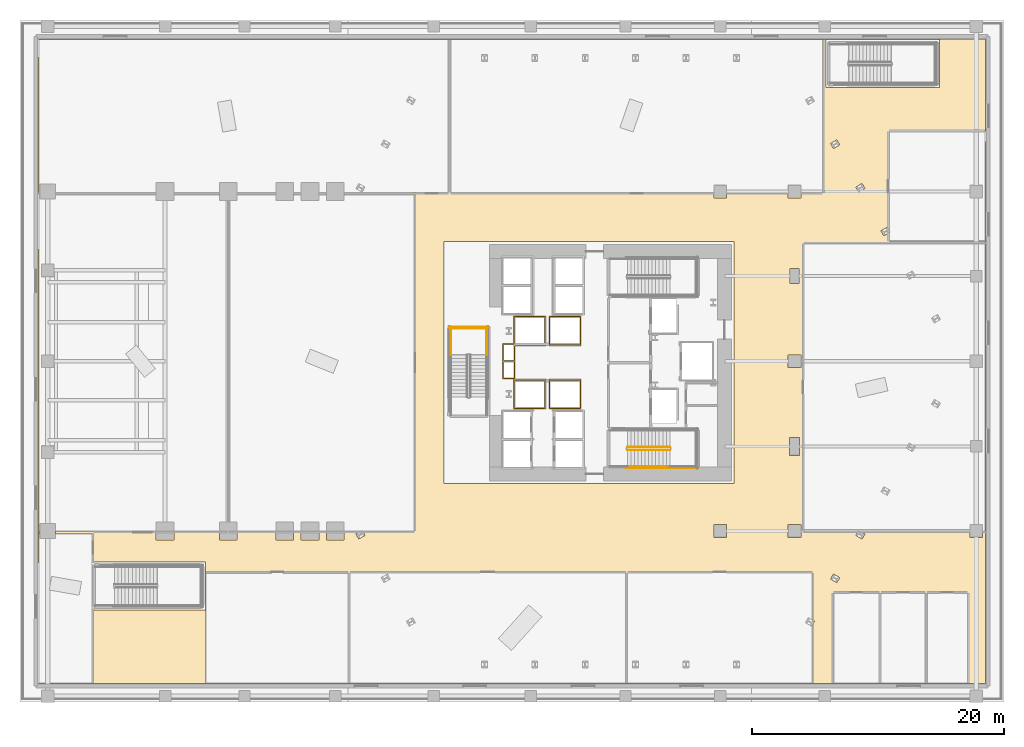
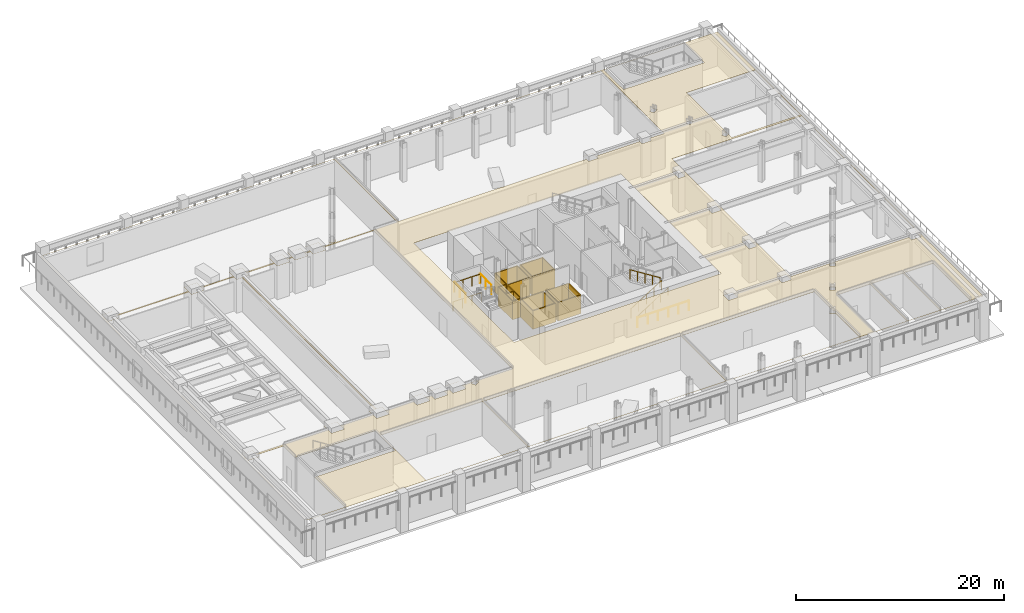
# One storey, part 12 of 18: 8 railings, 5 coverings.
"""IFC4 building model written with IfcOpenShell, lengths in metres."""

from ifc_helpers import new_model, si_unit, direction, frame, origin, origin_2d, place, context, subcontext, project, spatial, polyline, circle, outline, extrude, material, layer, layer_set, type_object, element, save


model = new_model("IFC4")

# Units and contexts
model_context = context("Model", 3, precision=1e-05, world=origin(), true_north=direction((0.0, 1.0)))
body_context = subcontext(model_context, "Body", "Model", "MODEL_VIEW")
ifc_project = project(units=[si_unit("LENGTHUNIT", "METRE"), si_unit("AREAUNIT", "SQUARE_METRE"), si_unit("VOLUMEUNIT", "CUBIC_METRE"), si_unit("PLANEANGLEUNIT", "RADIAN"), si_unit("MASSUNIT", "GRAM", prefix="KILO")], contexts=[model_context])

# Site, building, storey
site_placement = place(None, origin())
site = spatial("IfcSite", under=ifc_project, at=site_placement, CompositionType="ELEMENT")
building_placement = place(site_placement, origin())
building = spatial("IfcBuilding", under=site, at=building_placement, Name="Valkerne Bourse Tower", CompositionType="ELEMENT")
storey_placement = place(building_placement, frame((0.0, 0.0, 14.800048828125)))
storey = spatial("IfcBuildingStorey", under=building, at=storey_placement, Name="L03", CompositionType="ELEMENT", Elevation=14.800048828125)

# Coverings
ifc_material_1 = material(Name="Bronze Anodised Aluminium AA 6063-T6", Category="aluminium")
ifc_layer_1 = layer(ifc_material_1, 0.030029296875)
ifc_layer_set_1 = layer_set([ifc_layer_1], Name="Bronze Anodised Aluminium AA 6063-T6")
covering_type_1 = type_object("IfcCoveringType", Name="COV-CEIL-METAL", PredefinedType="CEILING", material=ifc_layer_set_1)
covering_1_placement = place(storey_placement, frame((0.0, 0.0, 4.010009765625)))
element("IfcCovering", 1, at=covering_1_placement, inside=storey, type_object=covering_type_1, Name="L03 Suspended Ceiling 14", PredefinedType="CEILING", context=body_context, shape_type="SweptSolid", body=[
    extrude(outline(polyline([(76.5458984375, 52.5458984375), (76.5458984375, 1.4541015625), (1.4541015625, 1.4541015625), (1.4541015625, 52.5458984375), (76.5458984375, 52.5458984375)]), holes=[polyline([(68.88818359375, 45.210205078125), (68.885986328125, 37.4140625), (68.98583984375, 37.231689453125), (68.978515625, 37.216552734375), (68.885986328125, 37.158203125), (68.8896484375, 36.538330078125), (76.51171875, 36.539794921875), (76.513916015625, 45.201416015625), (76.502685546875, 45.214111328125), (68.88818359375, 45.210205078125)]), polyline([(62.1376953125, 13.540283203125), (66.423583984375, 13.535888671875), (66.468017578125, 13.6015625), (66.481201171875, 13.607421875), (66.614013671875, 13.535888671875), (75.271728515625, 13.535888671875), (75.283935546875, 13.54833984375), (75.283935546875, 14.046142578125), (75.293701171875, 14.0625), (76.297119140625, 14.06591796875), (76.310791015625, 14.060302734375), (76.31591796875, 14.0498046875), (76.31689453125, 13.5439453125), (76.328857421875, 13.535888671875), (76.509521484375, 13.53759765625), (76.51220703125, 36.3095703125), (62.148681640625, 36.31396484375), (62.13671875, 36.305908203125), (62.1376953125, 13.540283203125)]), polyline([(71.896728515625, 1.493896484375), (71.90869140625, 1.486083984375), (75.10595703125, 1.48681640625), (75.114013671875, 1.498779296875), (75.11328125, 8.60595703125), (75.101318359375, 8.614013671875), (71.898193359375, 8.6103515625), (71.896728515625, 1.493896484375)]), polyline([(68.24609375, 8.60107421875), (68.247314453125, 1.492919921875), (68.2587890625, 1.486083984375), (71.757080078125, 1.4873046875), (71.763916015625, 1.498779296875), (71.7626953125, 8.60693359375), (71.751220703125, 8.614013671875), (68.2529296875, 8.61279296875), (68.24609375, 8.60107421875)]), polyline([(64.486083984375, 8.601318359375), (64.4873046875, 1.492919921875), (64.498779296875, 1.486083984375), (68.10693359375, 1.4873046875), (68.114013671875, 1.498779296875), (68.11279296875, 8.60693359375), (68.10107421875, 8.614013671875), (64.493896484375, 8.61328125), (64.486083984375, 8.601318359375)]), polyline([(34.148681640625, 40.365966796875), (54.9716796875, 40.365966796875), (54.98388671875, 40.37841796875), (54.98388671875, 40.946044921875), (54.993896484375, 40.96240234375), (55.99755859375, 40.966064453125), (56.00927734375, 40.9619140625), (56.015869140625, 40.949462890625), (56.01611328125, 40.37841796875), (56.027099609375, 40.365966796875), (60.87158203125, 40.365966796875), (60.884033203125, 40.37841796875), (60.884033203125, 40.946044921875), (60.893798828125, 40.96240234375), (61.897705078125, 40.966064453125), (61.9091796875, 40.9619140625), (61.916015625, 40.949462890625), (61.916015625, 40.378662109375), (61.925048828125, 40.366455078125), (63.60595703125, 40.36669921875), (63.614013671875, 40.37890625), (63.61328125, 52.506103515625), (63.601318359375, 52.513916015625), (34.14404296875, 52.51318359375), (34.135986328125, 52.501220703125), (34.136474609375, 40.375), (34.148681640625, 40.365966796875)]), polyline([(48.158203125, 1.486083984375), (62.806884765625, 1.4873046875), (62.81396484375, 1.498779296875), (62.81396484375, 6.02294921875), (62.79248046875, 6.03271484375), (62.76123046875, 5.982421875), (62.74169921875, 5.9794921875), (62.252685546875, 6.26171875), (62.243408203125, 6.2783203125), (62.479736328125, 6.68505859375), (62.49560546875, 6.683837890625), (62.7958984375, 6.510498046875), (62.81396484375, 6.52099609375), (62.812744140625, 10.20703125), (62.801025390625, 10.214111328125), (48.153076171875, 10.212890625), (48.14599609375, 10.201171875), (48.14599609375, 1.498291015625), (48.158203125, 1.486083984375)]), polyline([(26.154052734375, 10.213134765625), (26.14599609375, 10.201171875), (26.146728515625, 1.493896484375), (26.15869140625, 1.486083984375), (48.006103515625, 1.48681640625), (48.013916015625, 1.498779296875), (48.013916015625, 10.201416015625), (48.0048828125, 10.213623046875), (26.154052734375, 10.213134765625)]), polyline([(1.572509765625, 40.365966796875), (1.583984375, 40.37744140625), (1.583984375, 41.046142578125), (1.59375, 41.0625), (2.797119140625, 41.06591796875), (2.810546875, 41.060546875), (2.81591796875, 41.047119140625), (2.81591796875, 40.37841796875), (2.8271484375, 40.365966796875), (10.772705078125, 40.365966796875), (10.783935546875, 40.37841796875), (10.783935546875, 41.14599609375), (10.793701171875, 41.16259765625), (12.197265625, 41.166015625), (12.21044921875, 41.160400390625), (12.216064453125, 41.147216796875), (12.216064453125, 40.378662109375), (12.226318359375, 40.3662109375), (15.772705078125, 40.365966796875), (15.783935546875, 40.37841796875), (15.783935546875, 41.14599609375), (15.793701171875, 41.16259765625), (17.197265625, 41.166015625), (17.21044921875, 41.160400390625), (17.216064453125, 41.147216796875), (17.216064453125, 40.378662109375), (17.22509765625, 40.366455078125), (20.263671875, 40.365966796875), (20.27587890625, 40.37841796875), (20.27587890625, 41.14599609375), (20.285888671875, 41.16259765625), (21.689208984375, 41.166015625), (21.702392578125, 41.160400390625), (21.7080078125, 41.147216796875), (21.709716796875, 40.37060546875), (22.2626953125, 40.365966796875), (22.27490234375, 40.37841796875), (22.27490234375, 41.14599609375), (22.284912109375, 41.16259765625), (23.688232421875, 41.166015625), (23.701416015625, 41.160400390625), (23.70703125, 41.147216796875), (23.708740234375, 40.37060546875), (24.259521484375, 40.365966796875), (24.27197265625, 40.37841796875), (24.27197265625, 41.14599609375), (24.28173828125, 41.16259765625), (25.685302734375, 41.166015625), (25.698486328125, 41.160400390625), (25.7041015625, 41.147216796875), (25.7041015625, 40.37841796875), (25.715087890625, 40.365966796875), (27.115966796875, 40.36767578125), (27.115234375, 40.39111328125), (26.61279296875, 40.6865234375), (26.614013671875, 40.702392578125), (26.838134765625, 41.09033203125), (26.854736328125, 41.099609375), (27.360107421875, 40.80615234375), (27.35888671875, 40.790283203125), (27.134033203125, 40.40087890625), (27.118408203125, 40.385986328125), (27.12841796875, 40.365966796875), (33.9560546875, 40.36669921875), (33.964111328125, 40.37890625), (33.963134765625, 52.506103515625), (33.951171875, 52.513916015625), (1.493896484375, 52.51318359375), (1.486083984375, 52.501220703125), (1.48779296875, 40.37060546875), (1.572509765625, 40.365966796875)]), polyline([(25.715087890625, 40.214111328125), (25.7041015625, 40.201416015625), (25.7041015625, 39.752685546875), (25.69140625, 39.7353515625), (24.290283203125, 39.73388671875), (24.27880859375, 39.73828125), (24.272216796875, 39.75048828125), (24.268310546875, 40.211669921875), (23.71826171875, 40.214111328125), (23.70703125, 40.201416015625), (23.70703125, 39.752685546875), (23.6943359375, 39.7353515625), (22.29345703125, 39.73388671875), (22.28173828125, 39.73828125), (22.275146484375, 39.75048828125), (22.271240234375, 40.211669921875), (21.720458984375, 40.214111328125), (21.7080078125, 40.20166015625), (21.7080078125, 39.752685546875), (21.6953125, 39.7353515625), (20.29443359375, 39.73388671875), (20.28271484375, 39.73828125), (20.276123046875, 39.75048828125), (20.27587890625, 40.201416015625), (20.265869140625, 40.2138671875), (17.228271484375, 40.214111328125), (17.216064453125, 40.20166015625), (17.216064453125, 39.753173828125), (17.209228515625, 39.73876953125), (16.598876953125, 39.73388671875), (16.587158203125, 39.72705078125), (16.5859375, 14.2783203125), (16.598388671875, 14.26611328125), (17.197021484375, 14.26611328125), (17.211181640625, 14.25927734375), (17.216064453125, 13.548828125), (17.222900390625, 13.537109375), (20.265869140625, 13.5361328125), (20.27587890625, 13.548583984375), (20.27587890625, 14.24609375), (20.285888671875, 14.262451171875), (21.689208984375, 14.26611328125), (21.702392578125, 14.260498046875), (21.7080078125, 14.247314453125), (21.7080078125, 13.548583984375), (21.71923828125, 13.535888671875), (22.272705078125, 13.539794921875), (22.27490234375, 14.24609375), (22.284912109375, 14.262451171875), (23.688232421875, 14.26611328125), (23.701416015625, 14.260498046875), (23.70703125, 14.247314453125), (23.70703125, 13.548583984375), (23.71826171875, 13.535888671875), (24.269775390625, 13.539794921875), (24.27197265625, 14.24609375), (24.28173828125, 14.262451171875), (25.685302734375, 14.26611328125), (25.698486328125, 14.260498046875), (25.7041015625, 14.247314453125), (25.7041015625, 13.548583984375), (25.715087890625, 13.535888671875), (26.98681640625, 13.5361328125), (27.118896484375, 13.607421875), (27.132080078125, 13.6015625), (27.176513671875, 13.535888671875), (31.251220703125, 13.535888671875), (31.2626953125, 13.54296875), (31.263916015625, 40.201416015625), (31.25390625, 40.2138671875), (25.715087890625, 40.214111328125)]), polyline([(14.736083984375, 10.20166015625), (14.73974609375, 1.48828125), (26.01171875, 1.48974609375), (26.01025390625, 10.211669921875), (14.748291015625, 10.214111328125), (14.736083984375, 10.20166015625)]), polyline([(16.412841796875, 39.72705078125), (16.401123046875, 39.73388671875), (15.790771484375, 39.73876953125), (15.783935546875, 39.753173828125), (15.783935546875, 40.20166015625), (15.771728515625, 40.214111328125), (12.227294921875, 40.214111328125), (12.216064453125, 40.201416015625), (12.216064453125, 39.752685546875), (12.203369140625, 39.7353515625), (10.802490234375, 39.73388671875), (10.790771484375, 39.73828125), (10.7841796875, 39.75048828125), (10.783935546875, 40.201416015625), (10.772705078125, 40.214111328125), (2.828369140625, 40.214111328125), (2.81591796875, 40.20166015625), (2.81591796875, 39.8505859375), (2.8037109375, 39.835205078125), (1.602294921875, 39.833984375), (1.5908203125, 39.838134765625), (1.583984375, 39.8505859375), (1.58349609375, 40.204833984375), (1.572509765625, 40.214111328125), (1.492919921875, 40.212890625), (1.486083984375, 40.201171875), (1.4873046875, 13.54150390625), (1.5712890625, 13.535888671875), (1.583740234375, 13.546142578125), (1.583984375, 14.14599609375), (1.59375, 14.16259765625), (2.797119140625, 14.166015625), (2.810546875, 14.160400390625), (2.81591796875, 14.147216796875), (2.81591796875, 13.548583984375), (2.8271484375, 13.535888671875), (10.772705078125, 13.535888671875), (10.783935546875, 13.548583984375), (10.783935546875, 14.24609375), (10.793701171875, 14.262451171875), (12.197265625, 14.26611328125), (12.21044921875, 14.260498046875), (12.216064453125, 14.247314453125), (12.216064453125, 13.548583984375), (12.226318359375, 13.5361328125), (15.771728515625, 13.535888671875), (15.783935546875, 13.54833984375), (15.788818359375, 14.25927734375), (15.80322265625, 14.26611328125), (16.412353515625, 14.2705078125), (16.412841796875, 39.72705078125)]), polyline([(5.72119140625, 1.486083984375), (5.733642578125, 1.4951171875), (5.73388671875, 7.300048828125), (14.699951171875, 7.300048828125), (14.699951171875, 11.10009765625), (5.73388671875, 11.10009765625), (5.73388671875, 13.30126953125), (5.724853515625, 13.313720703125), (2.8271484375, 13.31396484375), (2.81591796875, 13.301513671875), (2.81591796875, 12.950439453125), (2.8037109375, 12.935302734375), (1.602783203125, 12.93408203125), (1.589111328125, 12.939697265625), (1.583984375, 12.9501953125), (1.58349609375, 13.3046875), (1.572509765625, 13.31396484375), (1.498779296875, 13.31396484375), (1.486328125, 13.304931640625), (1.486083984375, 1.498779296875), (1.492919921875, 1.4873046875), (5.72119140625, 1.486083984375)]), polyline([(27.12060546875, 13.59814453125), (26.62109375, 13.309814453125), (26.852294921875, 12.908935546875), (27.35205078125, 13.197509765625), (27.12060546875, 13.59814453125)]), polyline([(2.803955078125, 14.154052734375), (1.595947265625, 14.154052734375), (1.595947265625, 12.946044921875), (2.803955078125, 12.946044921875), (2.803955078125, 14.154052734375)]), polyline([(24.283935546875, 14.25390625), (24.283935546875, 12.845947265625), (25.69189453125, 12.845947265625), (25.69189453125, 14.25390625), (24.283935546875, 14.25390625)]), polyline([(23.695068359375, 14.25390625), (22.287109375, 14.25390625), (22.287109375, 12.845947265625), (23.695068359375, 12.845947265625), (23.695068359375, 14.25390625)]), polyline([(21.696044921875, 14.25390625), (20.2880859375, 14.25390625), (20.2880859375, 12.845947265625), (21.696044921875, 12.845947265625), (21.696044921875, 14.25390625)]), polyline([(10.7958984375, 14.25390625), (10.7958984375, 12.845947265625), (12.2041015625, 12.845947265625), (12.2041015625, 14.25390625), (10.7958984375, 14.25390625)]), polyline([(15.7958984375, 14.25390625), (15.7958984375, 12.845947265625), (17.2041015625, 12.845947265625), (17.2041015625, 14.25390625), (15.7958984375, 14.25390625)]), polyline([(17.2041015625, 41.154052734375), (15.7958984375, 41.154052734375), (15.7958984375, 39.74609375), (17.2041015625, 39.74609375), (17.2041015625, 41.154052734375)]), polyline([(10.7958984375, 41.154052734375), (10.7958984375, 39.74609375), (12.2041015625, 39.74609375), (12.2041015625, 41.154052734375), (10.7958984375, 41.154052734375)]), polyline([(21.696044921875, 41.154052734375), (20.2880859375, 41.154052734375), (20.2880859375, 39.74609375), (21.696044921875, 39.74609375), (21.696044921875, 41.154052734375)]), polyline([(23.695068359375, 41.154052734375), (22.287109375, 41.154052734375), (22.287109375, 39.74609375), (23.695068359375, 39.74609375), (23.695068359375, 41.154052734375)]), polyline([(24.283935546875, 41.154052734375), (24.283935546875, 39.74609375), (25.69189453125, 39.74609375), (25.69189453125, 41.154052734375), (24.283935546875, 41.154052734375)]), polyline([(1.595947265625, 41.053955078125), (1.595947265625, 39.845947265625), (2.803955078125, 39.845947265625), (2.803955078125, 41.053955078125), (1.595947265625, 41.053955078125)]), polyline([(26.62109375, 40.690185546875), (27.12060546875, 40.40185546875), (27.35205078125, 40.802490234375), (26.852294921875, 41.091064453125), (26.62109375, 40.690185546875)]), polyline([(56.00390625, 14.053955078125), (54.99609375, 14.053955078125), (54.99609375, 13.0458984375), (56.00390625, 13.0458984375), (56.00390625, 14.053955078125)]), polyline([(33.60009765625, 17.300048828125), (56.60009765625, 17.300048828125), (56.60009765625, 36.5), (33.60009765625, 36.5), (33.60009765625, 17.300048828125)]), polyline([(56.00390625, 40.9541015625), (54.99609375, 40.9541015625), (54.99609375, 39.946044921875), (56.00390625, 39.946044921875), (56.00390625, 40.9541015625)]), polyline([(62.251953125, 6.276123046875), (62.751708984375, 5.98779296875), (62.98291015625, 6.388427734375), (62.4833984375, 6.677001953125), (62.251953125, 6.276123046875)]), polyline([(64.481201171875, 10.137451171875), (64.25, 9.73681640625), (64.749755859375, 9.4482421875), (64.98095703125, 9.84912109375), (64.481201171875, 10.137451171875)]), polyline([(66.479248046875, 13.59814453125), (66.248046875, 13.197509765625), (66.747802734375, 12.908935546875), (66.97900390625, 13.309814453125), (66.479248046875, 13.59814453125)]), polyline([(60.89599609375, 14.053955078125), (60.89599609375, 13.0458984375), (61.904052734375, 13.0458984375), (61.904052734375, 14.053955078125), (60.89599609375, 14.053955078125)]), polyline([(75.2958984375, 14.053955078125), (75.2958984375, 13.0458984375), (76.303955078125, 13.0458984375), (76.303955078125, 14.053955078125), (75.2958984375, 14.053955078125)]), polyline([(60.99609375, 20.9541015625), (60.99609375, 19.5458984375), (61.803955078125, 19.5458984375), (61.803955078125, 20.9541015625), (60.99609375, 20.9541015625)]), polyline([(60.89599609375, 27.50390625), (60.89599609375, 26.49609375), (61.904052734375, 26.49609375), (61.904052734375, 27.50390625), (60.89599609375, 27.50390625)]), polyline([(61.0458984375, 34.35400390625), (61.0458984375, 33.14599609375), (61.75390625, 33.14599609375), (61.75390625, 34.35400390625), (61.0458984375, 34.35400390625)]), polyline([(68.24609375, 37.341796875), (68.477294921875, 36.941162109375), (68.97705078125, 37.229736328125), (68.74560546875, 37.63037109375), (68.24609375, 37.341796875)]), polyline([(61.904052734375, 40.9541015625), (60.89599609375, 40.9541015625), (60.89599609375, 39.946044921875), (61.904052734375, 39.946044921875), (61.904052734375, 40.9541015625)]), polyline([(66.248046875, 40.802490234375), (66.479248046875, 40.40185546875), (66.97900390625, 40.690185546875), (66.747802734375, 41.091064453125), (66.248046875, 40.802490234375)]), polyline([(64.749755859375, 44.5517578125), (64.25, 44.26318359375), (64.481201171875, 43.862548828125), (64.98095703125, 44.15087890625), (64.749755859375, 44.5517578125)]), polyline([(63.89990234375, 48.699951171875), (72.89990234375, 48.699951171875), (72.89990234375, 52.5), (63.89990234375, 52.5), (63.89990234375, 48.699951171875)])]), origin(), (0.0, 0.0, 1.0), 0.02490234375),
])
ifc_material_2 = material(Name="Gypsum Shaftwall Liner Board", Category="gypsum")
ifc_layer_2 = layer(ifc_material_2, 0.080078125)
ifc_layer_set_2 = layer_set([ifc_layer_2], Name="Gypsum Shaftwall Liner Board")
covering_type_2 = type_object("IfcCoveringType", Name="COV-SHF-CLAD", PredefinedType="CLADDING", material=ifc_layer_set_2)
covering_2_placement = place(storey_placement, origin())
element("IfcCovering", 2, at=covering_2_placement, inside=storey, type_object=covering_type_2, Name="L03 Hoistway & Riser Shaftwall Liner 02", PredefinedType="CLADDING", context=body_context, shape_type="SweptSolid", body=[
    extrude(outline(polyline([(41.679931640625, 23.219970703125), (39.1201171875, 23.219970703125), (39.1201171875, 25.580078125), (41.679931640625, 25.580078125), (41.679931640625, 23.219970703125)]), holes=[polyline([(39.2099609375, 25.489990234375), (39.2099609375, 23.31005859375), (41.590087890625, 23.31005859375), (41.590087890625, 25.489990234375), (39.2099609375, 25.489990234375)])]), origin(), (0.0, 0.0, 1.0), 2.179931640625),
])
covering_3_placement = place(storey_placement, origin())
element("IfcCovering", 3, at=covering_3_placement, inside=storey, type_object=covering_type_2, Name="L03 Hoistway & Riser Shaftwall Liner 03", PredefinedType="CLADDING", context=body_context, shape_type="SweptSolid", body=[
    extrude(outline(polyline([(44.47998046875, 23.219970703125), (41.919921875, 23.219970703125), (41.919921875, 25.580078125), (44.47998046875, 25.580078125), (44.47998046875, 23.219970703125)]), holes=[polyline([(42.010009765625, 25.489990234375), (42.010009765625, 23.31005859375), (44.389892578125, 23.31005859375), (44.389892578125, 25.489990234375), (42.010009765625, 25.489990234375)])]), origin(), (0.0, 0.0, 1.0), 2.179931640625),
])
covering_4_placement = place(storey_placement, origin())
element("IfcCovering", 4, at=covering_4_placement, inside=storey, type_object=covering_type_2, Name="L03 Hoistway & Riser Shaftwall Liner 04", PredefinedType="CLADDING", context=body_context, shape_type="SweptSolid", body=[
    extrude(outline(polyline([(38.239990234375, 28.409912109375), (39.1201171875, 28.409912109375), (39.1201171875, 30.580078125), (41.679931640625, 30.580078125), (41.679931640625, 28.219970703125), (39.239990234375, 28.219970703125), (39.239990234375, 27.0400390625), (39.239990234375, 26.9599609375), (39.239990234375, 25.590087890625), (38.239990234375, 25.590087890625), (38.239990234375, 26.9599609375), (38.239990234375, 27.0400390625), (38.239990234375, 28.409912109375)]), holes=[polyline([(39.2099609375, 30.489990234375), (39.2099609375, 28.409912109375), (39.239990234375, 28.409912109375), (39.239990234375, 28.31005859375), (41.590087890625, 28.31005859375), (41.590087890625, 30.489990234375), (39.2099609375, 30.489990234375)]), polyline([(38.330078125, 26.949951171875), (38.330078125, 25.679931640625), (39.14990234375, 25.679931640625), (39.14990234375, 26.949951171875), (38.330078125, 26.949951171875)]), polyline([(39.1201171875, 28.219970703125), (39.1201171875, 28.320068359375), (38.330078125, 28.320068359375), (38.330078125, 27.050048828125), (39.14990234375, 27.050048828125), (39.14990234375, 28.219970703125), (39.1201171875, 28.219970703125)])]), origin(), (0.0, 0.0, 1.0), 2.179931640625),
])
covering_5_placement = place(storey_placement, origin())
element("IfcCovering", 5, at=covering_5_placement, inside=storey, type_object=covering_type_2, Name="L03 Hoistway & Riser Shaftwall Liner 09", PredefinedType="CLADDING", context=body_context, shape_type="SweptSolid", body=[
    extrude(outline(polyline([(44.47998046875, 28.219970703125), (41.919921875, 28.219970703125), (41.919921875, 30.580078125), (44.47998046875, 30.580078125), (44.47998046875, 28.219970703125)]), holes=[polyline([(42.010009765625, 30.489990234375), (42.010009765625, 28.31005859375), (44.389892578125, 28.31005859375), (44.389892578125, 30.489990234375), (42.010009765625, 30.489990234375)])]), origin(), (0.0, 0.0, 1.0), 2.179931640625),
])

# Railings
ifc_material_3 = material(Name="Galvanised Painted Steel", Category="steel")
railing_type_1 = type_object("IfcRailingType", Name="RLG-ST-GUARD-1120", PredefinedType="GUARDRAIL", material=ifc_material_3)
railing_1_placement = place(storey_placement, frame((48.14990234375, 19.949951171875, 0.1767578125)))
element("IfcRailing", 6, at=railing_1_placement, inside=storey, type_object=railing_type_1, Name="L03 ST-1 stair guard 1", PredefinedType="GUARDRAIL", context=body_context, shape_type="SweptSolid", body=[
    extrude(circle(Radius=0.02392578125, at=origin_2d()), frame((0.0, 0.0, 1.09619140625), z_axis=(0.845361898145, 0.0, 0.534194029511), x_axis=(0.0, 1.0, 0.0)), (0.0, 0.0, 1.0), 3.974853515625),
    extrude(circle(Radius=0.02099609375, at=origin_2d()), origin(), (0.0, 0.0, 1.0), 1.072021484375),
    extrude(circle(Radius=0.02099609375, at=origin_2d()), frame((0.840087890625, 0.0, 0.53076171875)), (0.0, 0.0, 1.0), 1.072021484375),
    extrude(circle(Radius=0.02099609375, at=origin_2d()), frame((1.68017578125, 0.0, 1.0615234375)), (0.0, 0.0, 1.0), 1.072021484375),
    extrude(circle(Radius=0.02099609375, at=origin_2d()), frame((2.52001953125, 0.0, 1.592529296875)), (0.0, 0.0, 1.0), 1.072021484375),
    extrude(circle(Radius=0.02099609375, at=origin_2d()), frame((3.360107421875, 0.0, 2.123291015625)), (0.0, 0.0, 1.0), 1.072021484375),
])
railing_2_placement = place(storey_placement, frame((51.510009765625, 20.199951171875, 2.476806640625)))
element("IfcRailing", 7, at=railing_2_placement, inside=storey, type_object=railing_type_1, Name="L03 ST-1 stair guard 6", PredefinedType="GUARDRAIL", context=body_context, shape_type="SweptSolid", body=[
    extrude(circle(Radius=0.02392578125, at=origin_2d()), frame((0.0, 0.0, 1.09619140625), z_axis=(-0.845389635667, 0.0, 0.534150132366), x_axis=(0.0, -1.0, 0.0)), (0.0, 0.0, 1.0), 3.974609375),
    extrude(circle(Radius=0.02099609375, at=origin_2d()), origin(), (0.0, 0.0, 1.0), 1.072021484375),
    extrude(circle(Radius=0.02099609375, at=origin_2d()), frame((-0.840087890625, 0.0, 0.53076171875)), (0.0, 0.0, 1.0), 1.072021484375),
    extrude(circle(Radius=0.02099609375, at=origin_2d()), frame((-1.68017578125, 0.0, 1.0615234375)), (0.0, 0.0, 1.0), 1.072021484375),
    extrude(circle(Radius=0.02099609375, at=origin_2d()), frame((-2.52001953125, 0.0, 1.59228515625)), (0.0, 0.0, 1.0), 1.072021484375),
    extrude(circle(Radius=0.02099609375, at=origin_2d()), frame((-3.360107421875, 0.0, 2.123046875)), (0.0, 0.0, 1.0), 1.072021484375),
])
railing_3_placement = place(storey_placement, frame((48.050048828125, 18.550048828125, 0.0)))
element("IfcRailing", 8, at=railing_3_placement, inside=storey, type_object=railing_type_1, Name="L03 ST-1 stair guard 10", PredefinedType="GUARDRAIL", context=body_context, shape_type="SweptSolid", body=[
    extrude(circle(Radius=0.02392578125, at=origin_2d()), frame((0.0, 0.0, 1.09619140625), z_axis=(1.0, 0.0, 0.0), x_axis=(0.0, 1.0, 0.0)), (0.0, 0.0, 1.0), 5.699951171875),
    extrude(circle(Radius=0.02099609375, at=origin_2d()), origin(), (0.0, 0.0, 1.0), 1.072021484375),
    extrude(circle(Radius=0.02099609375, at=origin_2d()), frame((1.139892578125, 0.0, 0.0)), (0.0, 0.0, 1.0), 1.072021484375),
    extrude(circle(Radius=0.02099609375, at=origin_2d()), frame((2.280029296875, 0.0, 0.0)), (0.0, 0.0, 1.0), 1.072021484375),
    extrude(circle(Radius=0.02099609375, at=origin_2d()), frame((3.419921875, 0.0, 0.0)), (0.0, 0.0, 1.0), 1.072021484375),
    extrude(circle(Radius=0.02099609375, at=origin_2d()), frame((4.56005859375, 0.0, 0.0)), (0.0, 0.0, 1.0), 1.072021484375),
    extrude(circle(Radius=0.02099609375, at=origin_2d()), frame((5.699951171875, 0.0, 0.0)), (0.0, 0.0, 1.0), 1.072021484375),
])
for number, where, name in (
    (9, (37.0, 27.510009765625, 2.300048828125), "L03 ST-3 stair guard 3"),
    (10, (34.14990234375, 27.510009765625, 2.300048828125), "L03 ST-3 stair guard 4"),
):
    element("IfcRailing", number, at=place(storey_placement, frame(where)), inside=storey, type_object=railing_type_1, Name=name, PredefinedType="GUARDRAIL", context=body_context, shape_type="SweptSolid", body=[
        extrude(circle(Radius=0.02392578125, at=origin_2d()), frame((0.0, 0.0, 1.09619140625), z_axis=(0.0, 1.0, 0.0), x_axis=(-1.0, 0.0, 0.0)), (0.0, 0.0, 1.0), 2.139892578125),
        extrude(circle(Radius=0.02099609375, at=origin_2d()), origin(), (0.0, 0.0, 1.0), 1.072021484375),
        extrude(circle(Radius=0.02099609375, at=origin_2d()), frame((0.0, 1.06982421875, 0.0)), (0.0, 0.0, 1.0), 1.072021484375),
        extrude(circle(Radius=0.02099609375, at=origin_2d()), frame((0.0, 2.139892578125, 0.0)), (0.0, 0.0, 1.0), 1.072021484375),
    ])
railing_4_placement = place(storey_placement, frame((37.050048828125, 29.60009765625, 2.300048828125)))
element("IfcRailing", 11, at=railing_4_placement, inside=storey, type_object=railing_type_1, Name="L03 ST-3 stair guard 5", PredefinedType="GUARDRAIL", context=body_context, shape_type="SweptSolid", body=[
    extrude(circle(Radius=0.02392578125, at=origin_2d()), frame((0.0, 0.0, 1.09619140625), z_axis=(-1.0, 0.0, 0.0), x_axis=(0.0, -1.0, 0.0)), (0.0, 0.0, 1.0), 2.949951171875),
    extrude(circle(Radius=0.02099609375, at=origin_2d()), origin(), (0.0, 0.0, 1.0), 1.072021484375),
    extrude(circle(Radius=0.02099609375, at=origin_2d()), frame((-0.9833984375, 0.0, 0.0)), (0.0, 0.0, 1.0), 1.072021484375),
    extrude(circle(Radius=0.02099609375, at=origin_2d()), frame((-1.966552734375, 0.0, 0.0)), (0.0, 0.0, 1.0), 1.072021484375),
    extrude(circle(Radius=0.02099609375, at=origin_2d()), frame((-2.949951171875, 0.0, 0.0)), (0.0, 0.0, 1.0), 1.072021484375),
])
railing_5_placement = place(storey_placement, frame((37.14990234375, 29.699951171875, 0.0)))
element("IfcRailing", 12, at=railing_5_placement, inside=storey, type_object=railing_type_1, Name="L03 ST-3 stair guard 12", PredefinedType="GUARDRAIL", context=body_context, shape_type="SweptSolid", body=[
    extrude(circle(Radius=0.02392578125, at=origin_2d()), frame((0.0, 0.0, 1.09619140625), z_axis=(-1.0, 0.0, 0.0), x_axis=(0.0, -1.0, 0.0)), (0.0, 0.0, 1.0), 3.14990234375),
    extrude(circle(Radius=0.02099609375, at=origin_2d()), origin(), (0.0, 0.0, 1.0), 1.072021484375),
    extrude(circle(Radius=0.02099609375, at=origin_2d()), frame((-1.050048828125, 0.0, 0.0)), (0.0, 0.0, 1.0), 1.072021484375),
    extrude(circle(Radius=0.02099609375, at=origin_2d()), frame((-2.099853515625, 0.0, 0.0)), (0.0, 0.0, 1.0), 1.072021484375),
    extrude(circle(Radius=0.02099609375, at=origin_2d()), frame((-3.14990234375, 0.0, 0.0)), (0.0, 0.0, 1.0), 1.072021484375),
])
ifc_material_4 = material(Name="Stainless Steel AISI 316", Category="steel")
railing_type_2 = type_object("IfcRailingType", Name="RLG-ST-HANDRAIL-900", PredefinedType="HANDRAIL", material=ifc_material_4)
railing_6_placement = place(storey_placement, frame((48.14990234375, 18.64990234375, 0.353759765625)))
element("IfcRailing", 13, at=railing_6_placement, inside=storey, type_object=railing_type_2, Name="L03 ST-1 stair handrail 1", PredefinedType="HANDRAIL", context=body_context, shape_type="SweptSolid", body=[
    extrude(circle(Radius=0.02392578125, at=origin_2d()), frame((0.0, 0.0, 0.8759765625), z_axis=(0.845389635667, 0.0, 0.534150132366), x_axis=(0.0, 1.0, 0.0)), (0.0, 0.0, 1.0), 3.974609375),
    extrude(circle(Radius=0.02099609375, at=origin_2d()), origin(), (0.0, 0.0, 1.0), 0.851806640625),
    extrude(circle(Radius=0.02099609375, at=origin_2d()), frame((0.840087890625, 0.0, 0.53076171875)), (0.0, 0.0, 1.0), 0.851806640625),
    extrude(circle(Radius=0.02099609375, at=origin_2d()), frame((1.68017578125, 0.0, 1.0615234375)), (0.0, 0.0, 1.0), 0.851806640625),
    extrude(circle(Radius=0.02099609375, at=origin_2d()), frame((2.52001953125, 0.0, 1.59228515625)), (0.0, 0.0, 1.0), 0.851806640625),
    extrude(circle(Radius=0.02099609375, at=origin_2d()), frame((3.360107421875, 0.0, 2.123046875)), (0.0, 0.0, 1.0), 0.851806640625),
])

save(model, "model.ifc")
